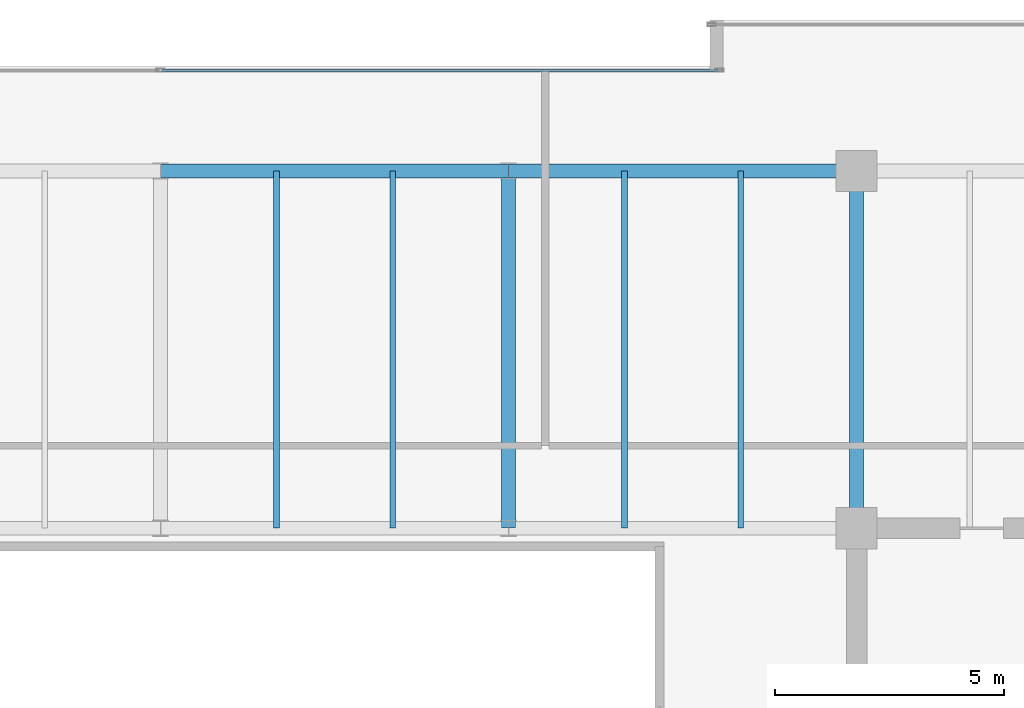
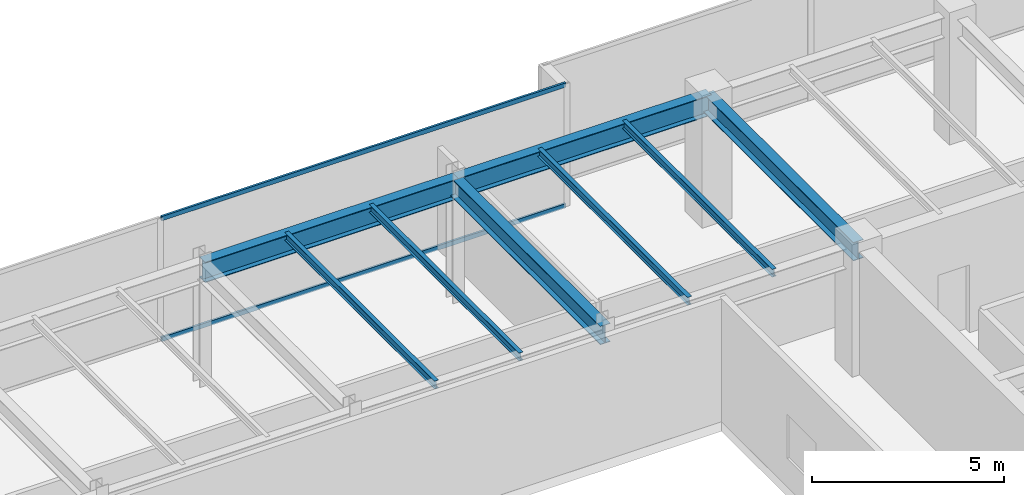
# One storey, part 23 of 31: 8 beams, 2 members, 1 element without a shape of its own.
"""IFC4 building model written with IfcOpenShell, lengths in metres."""

from ifc_helpers import new_model, si_unit, direction, frame, origin, origin_2d, place, context, subcontext, project, spatial, hollow_rectangle, i_section, extrude, source, transform, mapped, material, layer, layer_set, material_profile, profile_set, type_object, type_shapes, element, aggregate, save


model = new_model("IFC4")

# Units and contexts
model_context = context("Model", 3, precision=1e-05, world=origin(), true_north=direction((0.0, 1.0)))
body_context = subcontext(model_context, "Body", "Model", "MODEL_VIEW")
ifc_project = project(units=[si_unit("LENGTHUNIT", "METRE"), si_unit("AREAUNIT", "SQUARE_METRE"), si_unit("VOLUMEUNIT", "CUBIC_METRE"), si_unit("PLANEANGLEUNIT", "RADIAN"), si_unit("MASSUNIT", "GRAM", prefix="KILO")], contexts=[model_context])

# Site, building, storey
site_placement = place(None, origin())
site = spatial("IfcSite", under=ifc_project, at=site_placement, CompositionType="ELEMENT")
building_placement = place(site_placement, origin())
building = spatial("IfcBuilding", under=site, at=building_placement, Name="Haelvirn Gate Laboratories", CompositionType="ELEMENT")
storey_placement = place(building_placement, frame((0.0, 0.0, 318.60009765625)))
storey = spatial("IfcBuildingStorey", under=building, at=storey_placement, Name="L76", CompositionType="ELEMENT", Elevation=318.60009765625)

# Beams
ifc_material_1 = material(Name="Steel SM355", Category="steel")
ifc_material_profile_1 = material_profile(ifc_material_1, i_section(OverallWidth=0.300048828125, OverallDepth=0.587890625, WebThickness=0.011962890625, FlangeThickness=0.02001953125, at=origin_2d()), Name="H-588x300x12x20")
ifc_profile_set_1 = profile_set([ifc_material_profile_1], Name="Steel SM355")
beam_type_1 = type_object("IfcBeamType", Name="BM-G-588", PredefinedType="BEAM", material=ifc_profile_set_1)
shared_shape_1 = source(origin(), body_context, "Body", "SweptSolid", [
    extrude(i_section(OverallWidth=0.300048828125, OverallDepth=0.587890625, WebThickness=0.011962890625, FlangeThickness=0.02001953125, at=origin_2d()), origin(), (0.0, 0.0, 1.0), 7.800048828125),
])
type_shapes(beam_type_1, [shared_shape_1])
for number, where, z_axis, x_axis, name in (
    (1, (45.0, 33.800048828125, 3.60595703125), (0.0, 1.0, 0.0), (-1.0, 0.0, 0.0), "L76 Frame Girder X45.0 (33.8-41.6)"),
    (2, (52.60009765625, 33.800048828125, 3.60595703125), (0.0, 1.0, 0.0), (-1.0, 0.0, 0.0), "L76 Frame Girder X52.6 (33.8-41.6)"),
):
    element("IfcBeam", number, at=place(storey_placement, frame(where, z_axis=z_axis, x_axis=x_axis)), inside=storey, type_object=beam_type_1, Name=name, PredefinedType="BEAM", context=body_context, shape_type="MappedRepresentation", body=[
        mapped(shared_shape_1, transform((0.0, 0.0, 0.0), scale=1.0)),
    ])
ifc_material_profile_2 = material_profile(ifc_material_1, i_section(OverallWidth=0.300048828125, OverallDepth=0.64990234375, WebThickness=0.012939453125, FlangeThickness=0.02197265625, at=origin_2d()), Name="H-650x300x13x22")
ifc_profile_set_2 = profile_set([ifc_material_profile_2], Name="Steel SM355")
beam_type_2 = type_object("IfcBeamType", Name="BM-G-650", PredefinedType="BEAM", material=ifc_profile_set_2)
shared_shape_2 = source(origin(), body_context, "Body", "SweptSolid", [
    extrude(i_section(OverallWidth=0.300048828125, OverallDepth=0.64990234375, WebThickness=0.012939453125, FlangeThickness=0.02197265625, at=origin_2d()), origin(), (0.0, 0.0, 1.0), 7.60009765625),
])
type_shapes(beam_type_2, [shared_shape_2])
for number, where, z_axis, x_axis, name in (
    (3, (37.39990234375, 41.60009765625, 3.574951171875), (1.0, 0.0, 0.0), (0.0, 1.0, 0.0), "L76 Primary Girder Y41.6 (37.4-45.0)"),
    (4, (45.0, 41.60009765625, 3.574951171875), (1.0, 0.0, 0.0), (0.0, 1.0, 0.0), "L76 Primary Girder Y41.6 (45.0-52.6)"),
):
    element("IfcBeam", number, at=place(storey_placement, frame(where, z_axis=z_axis, x_axis=x_axis)), inside=storey, type_object=beam_type_2, Name=name, PredefinedType="BEAM", context=body_context, shape_type="MappedRepresentation", body=[
        mapped(shared_shape_2, transform((0.0, 0.0, 0.0), scale=1.0)),
    ])
ifc_material_profile_3 = material_profile(ifc_material_1, i_section(OverallWidth=0.125, OverallDepth=0.25, WebThickness=0.006103515625, FlangeThickness=0.009033203125, at=origin_2d()), Name="H-250x125x6x9")
ifc_profile_set_3 = profile_set([ifc_material_profile_3], Name="Steel SM355")
beam_type_3 = type_object("IfcBeamType", Name="BM-J-250", PredefinedType="JOIST", material=ifc_profile_set_3)
shared_shape_3 = source(origin(), body_context, "Body", "SweptSolid", [
    extrude(i_section(OverallWidth=0.125, OverallDepth=0.25, WebThickness=0.006103515625, FlangeThickness=0.009033203125, at=origin_2d()), origin(), (0.0, 0.0, 1.0), 7.800048828125),
])
type_shapes(beam_type_3, [shared_shape_3])
for number, where, z_axis, x_axis, name in (
    (5, (39.929931640625, 33.800048828125, 3.77490234375), (0.0, 1.0, 0.0), (-1.0, 0.0, 0.0), "L76 Composite Lab Joist North X39.93"),
    (6, (42.469970703125, 33.800048828125, 3.77490234375), (0.0, 1.0, 0.0), (-1.0, 0.0, 0.0), "L76 Composite Lab Joist North X42.47"),
    (7, (47.530029296875, 33.800048828125, 3.77490234375), (0.0, 1.0, 0.0), (-1.0, 0.0, 0.0), "L76 Composite Lab Joist North X47.53"),
    (8, (50.070068359375, 33.800048828125, 3.77490234375), (0.0, 1.0, 0.0), (-1.0, 0.0, 0.0), "L76 Composite Lab Joist North X50.07"),
):
    element("IfcBeam", number, at=place(storey_placement, frame(where, z_axis=z_axis, x_axis=x_axis)), inside=storey, type_object=beam_type_3, Name=name, PredefinedType="JOIST", context=body_context, shape_type="MappedRepresentation", body=[
        mapped(shared_shape_3, transform((0.0, 0.0, 0.0), scale=1.0)),
    ])

# Curtain wall, members
ifc_material_2 = material(Name="Anodised bronze unitised aluminium & triple low-E glass", Category="aluminium")
ifc_layer = layer(ifc_material_2, 0.176025390625, Name="CW-SYS-4")
ifc_layer_set = layer_set([ifc_layer], Name="Anodised bronze unitised aluminium & triple low-E glass")
curtain_wall_type = type_object("IfcCurtainWallType", Name="CW-SYS-4", PredefinedType="NOTDEFINED", material=ifc_layer_set)
curtain_wall_placement = place(storey_placement, origin())
curtain_wall = element("IfcCurtainWall", 9, at=curtain_wall_placement, inside=storey, type_object=curtain_wall_type, Name="L76 Unitised Curtain Wall CW-L76-P0-E12-1", PredefinedType="NOTDEFINED")
ifc_material_3 = material(Name="Extruded aluminium 6063-T6 (anodised bronze)", Category="aluminium")
ifc_material_profile_4 = material_profile(ifc_material_3, hollow_rectangle(XDim=0.06494140625, YDim=0.139892578125, WallThickness=0.00390625, at=origin_2d()), Name="CWT-140x65x4")
ifc_profile_set_4 = profile_set([ifc_material_profile_4], Name="Extruded aluminium 6063-T6 (anodised bronze)")
member_type = type_object("IfcMemberType", Name="CWT-T140", PredefinedType="USERDEFINED", material=ifc_profile_set_4)
shared_shape_4 = source(origin(), body_context, "Body", "SweptSolid", [
    extrude(hollow_rectangle(XDim=0.06494140625, YDim=0.139892578125, WallThickness=0.00390625, at=origin_2d()), origin(), (0.0, 0.0, 1.0), 12.135009765625),
])
type_shapes(member_type, [shared_shape_4])
member_1_placement = place(storey_placement, frame((37.43505859375, 43.800048828125, 0.032470703125), z_axis=(1.0, 0.0, 0.0), x_axis=(0.0, 1.0, 0.0)))
member_1 = element("IfcMember", 10, at=member_1_placement, type_object=member_type, Name="CW4 transom 2.1", ObjectType="TRANSOM", PredefinedType="USERDEFINED", context=body_context, shape_type="MappedRepresentation", body=[
    mapped(shared_shape_4, transform((0.0, 0.0, 0.0), scale=1.0)),
])
member_2_placement = place(storey_placement, frame((37.43505859375, 43.800048828125, 3.867431640625), z_axis=(1.0, 0.0, 0.0), x_axis=(0.0, 1.0, 0.0)))
member_2 = element("IfcMember", 11, at=member_2_placement, type_object=member_type, Name="CW4 transom 2.2", ObjectType="TRANSOM", PredefinedType="USERDEFINED", context=body_context, shape_type="MappedRepresentation", body=[
    mapped(shared_shape_4, transform((0.0, 0.0, 0.0), scale=1.0)),
])
aggregate(curtain_wall, [member_1, member_2])

save(model, "model.ifc")
